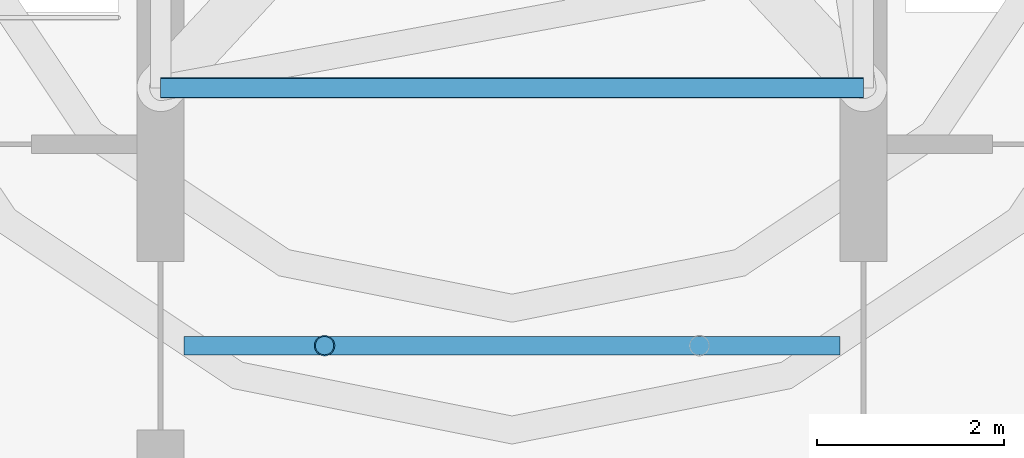
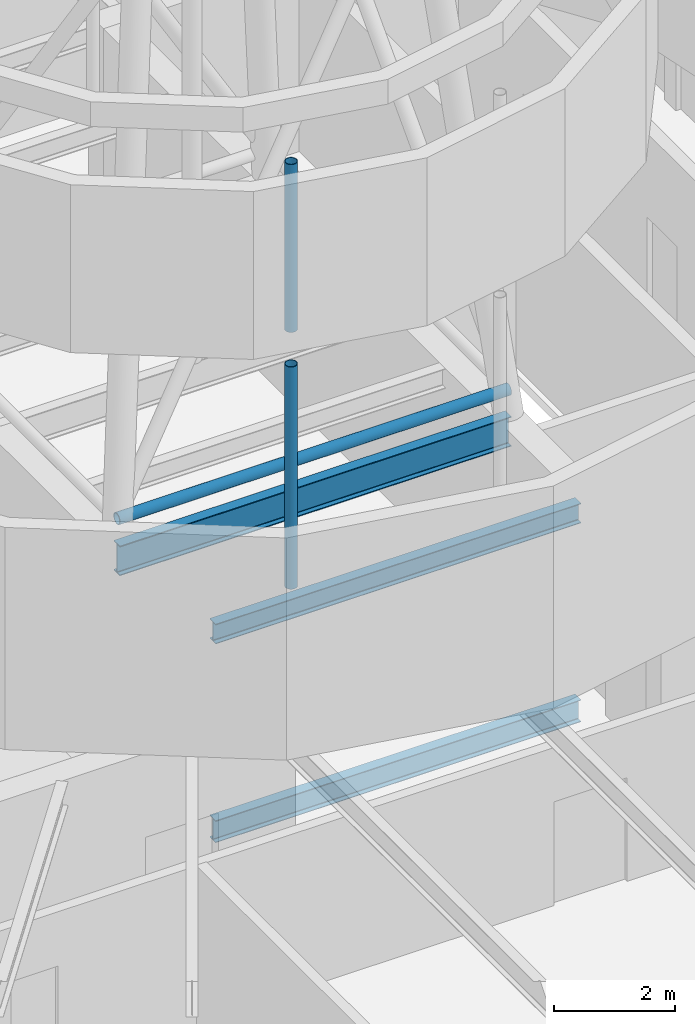
# One storey, part 2 of 17: 3 beams, 3 members.
"""IFC4 building model written with IfcOpenShell, lengths in metres."""

from ifc_helpers import new_model, si_unit, direction, frame, origin, origin_2d, place, context, subcontext, project, spatial, hollow_circle, i_section, extrude, material, material_profile, profile_set, type_object, element, save


model = new_model("IFC4")

# Units and contexts
model_context = context("Model", 3, precision=1e-05, world=origin(), true_north=direction((0.0, 1.0)))
body_context = subcontext(model_context, "Body", "Model", "MODEL_VIEW")
ifc_project = project(units=[si_unit("LENGTHUNIT", "METRE"), si_unit("AREAUNIT", "SQUARE_METRE"), si_unit("VOLUMEUNIT", "CUBIC_METRE"), si_unit("PLANEANGLEUNIT", "RADIAN"), si_unit("MASSUNIT", "GRAM", prefix="KILO")], contexts=[model_context])

# Site, building, storey
site_placement = place(None, origin())
site = spatial("IfcSite", under=ifc_project, at=site_placement, CompositionType="ELEMENT")
building_placement = place(site_placement, origin())
building = spatial("IfcBuilding", under=site, at=building_placement, Name="Tamarind Cross Interchange Tower", CompositionType="ELEMENT")
storey_placement = place(building_placement, frame((0.0, 0.0, 325.39990234375)))
storey = spatial("IfcBuildingStorey", under=building, at=storey_placement, Name="L80", CompositionType="ELEMENT", Elevation=325.39990234375)

# Beams
ifc_material = material(Name="Steel Q355B", Category="steel")
ifc_material_profile_1 = material_profile(ifc_material, i_section(OverallWidth=0.199951171875, OverallDepth=0.39990234375, WebThickness=0.008056640625, FlangeThickness=0.012939453125, FilletRadius=0.01611328125, at=origin_2d()), Name="HN 400x200x8x13")
ifc_profile_set_1 = profile_set([ifc_material_profile_1], Name="Steel Q355B")
beam_type_1 = type_object("IfcBeamType", Name="Composite beam HN 400x200x8x13 Q355B", PredefinedType="BEAM", material=ifc_profile_set_1)
beam_1_placement = place(storey_placement, frame((-3.5, -6.75, 3.60009765625), z_axis=(1.0, 0.0, 0.0), x_axis=(0.0, 1.0, 0.0)))
element("IfcBeam", 1, at=beam_1_placement, inside=storey, type_object=beam_type_1, Name="Beam G-6.75", PredefinedType="BEAM", context=body_context, shape_type="SweptSolid", body=[
    extrude(i_section(OverallWidth=0.199951171875, OverallDepth=0.39990234375, WebThickness=0.008056640625, FlangeThickness=0.012939453125, FilletRadius=0.01611328125, at=origin_2d()), origin(), (0.0, 0.0, 1.0), 7.0),
])
ifc_material_profile_2 = material_profile(ifc_material, i_section(OverallWidth=0.198974609375, OverallDepth=0.446044921875, WebThickness=0.008056640625, FlangeThickness=0.011962890625, FilletRadius=0.012939453125, at=origin_2d()), Name="HN 446x199x8x12")
ifc_profile_set_2 = profile_set([ifc_material_profile_2], Name="Steel Q355B")
beam_type_2 = type_object("IfcBeamType", Name="Composite beam HN 446x199x8x12 Q355B", PredefinedType="BEAM", material=ifc_profile_set_2)
beam_2_placement = place(storey_placement, frame((-3.5, -6.75, -0.40283203125), z_axis=(1.0, 0.0, 0.0), x_axis=(0.0, 1.0, 0.0)))
element("IfcBeam", 2, at=beam_2_placement, inside=storey, type_object=beam_type_2, Name="Beam G-6.75", PredefinedType="BEAM", context=body_context, shape_type="SweptSolid", body=[
    extrude(i_section(OverallWidth=0.198974609375, OverallDepth=0.446044921875, WebThickness=0.008056640625, FlangeThickness=0.011962890625, FilletRadius=0.012939453125, at=origin_2d()), origin(), (0.0, 0.0, 1.0), 7.0),
])

# Members
ifc_material_profile_3 = material_profile(ifc_material, hollow_circle(Radius=0.109619140625, WallThickness=0.011962890625, at=origin_2d()), Name="CHS 219x12")
ifc_profile_set_3 = profile_set([ifc_material_profile_3], Name="Steel Q355B")
member_type_1 = type_object("IfcMemberType", Name="Lantern post CHS 219x12 Q355B", PredefinedType="POST", material=ifc_profile_set_3)
member_1_placement = place(storey_placement, frame((-2.0, -6.75, 4.0), z_axis=(0.0, 0.0, 1.0), x_axis=(1.0, 0.0, 0.0)))
element("IfcMember", 3, at=member_1_placement, inside=storey, type_object=member_type_1, Name="Lantern post low 3", PredefinedType="POST", context=body_context, shape_type="SweptSolid", body=[
    extrude(hollow_circle(Radius=0.109619140625, WallThickness=0.011962890625, at=origin_2d()), origin(), (0.0, 0.0, 1.0), 4.5),
])
member_2_placement = place(storey_placement, frame((-2.0, -6.75, 9.2001953125), z_axis=(0.0, 0.0, 1.0), x_axis=(1.0, 0.0, 0.0)))
element("IfcMember", 4, at=member_2_placement, inside=storey, type_object=member_type_1, Name="Lantern post up 3", PredefinedType="POST", context=body_context, shape_type="SweptSolid", body=[
    extrude(hollow_circle(Radius=0.109619140625, WallThickness=0.011962890625, at=origin_2d()), origin(), (0.0, 0.0, 1.0), 3.39990234375),
])

# Beam
ifc_material_profile_4 = material_profile(ifc_material, i_section(OverallWidth=0.199951171875, OverallDepth=0.60009765625, WebThickness=0.010986328125, FlangeThickness=0.01708984375, FilletRadius=0.012939453125, at=origin_2d()), Name="HN 600x200x11x17")
ifc_profile_set_4 = profile_set([ifc_material_profile_4], Name="Steel Q355B")
beam_type_3 = type_object("IfcBeamType", Name="Roof tie girder HN 600x200x11x17 Q355B", PredefinedType="BEAM", material=ifc_profile_set_4)
beam_3_placement = place(storey_placement, frame((-3.75, -4.0, 3.5), z_axis=(1.0, 0.0, 0.0), x_axis=(0.0, 1.0, 0.0)))
element("IfcBeam", 5, at=beam_3_placement, inside=storey, type_object=beam_type_3, Name="Roof tie girder 1", PredefinedType="BEAM", context=body_context, shape_type="SweptSolid", body=[
    extrude(i_section(OverallWidth=0.199951171875, OverallDepth=0.60009765625, WebThickness=0.010986328125, FlangeThickness=0.01708984375, FilletRadius=0.012939453125, at=origin_2d()), origin(), (0.0, 0.0, 1.0), 7.5),
])

# Member
ifc_material_profile_5 = material_profile(ifc_material, hollow_circle(Radius=0.109619140625, WallThickness=0.011962890625, at=origin_2d()), Name="CHS 219x12")
ifc_profile_set_5 = profile_set([ifc_material_profile_5], Name="Steel Q355B")
member_type_2 = type_object("IfcMemberType", Name="Spire ring CHS 219x12 Q355B", PredefinedType="CHORD", material=ifc_profile_set_5)
member_3_placement = place(storey_placement, frame((-3.75, -4.0, 4.300048828125), z_axis=(1.0, 0.0, 0.0), x_axis=(0.0, 1.0, 0.0)))
element("IfcMember", 6, at=member_3_placement, inside=storey, type_object=member_type_2, Name="Spire ring 7", PredefinedType="CHORD", context=body_context, shape_type="SweptSolid", body=[
    extrude(hollow_circle(Radius=0.109619140625, WallThickness=0.011962890625, at=origin_2d()), origin(), (0.0, 0.0, 1.0), 7.5),
])

save(model, "model.ifc")
